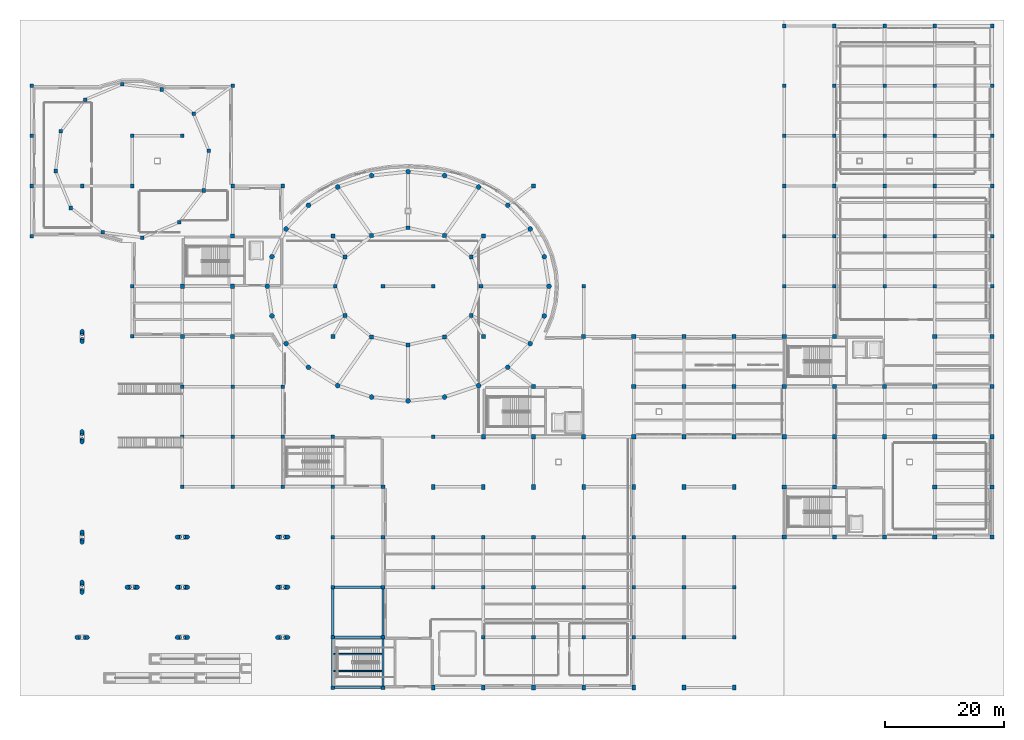
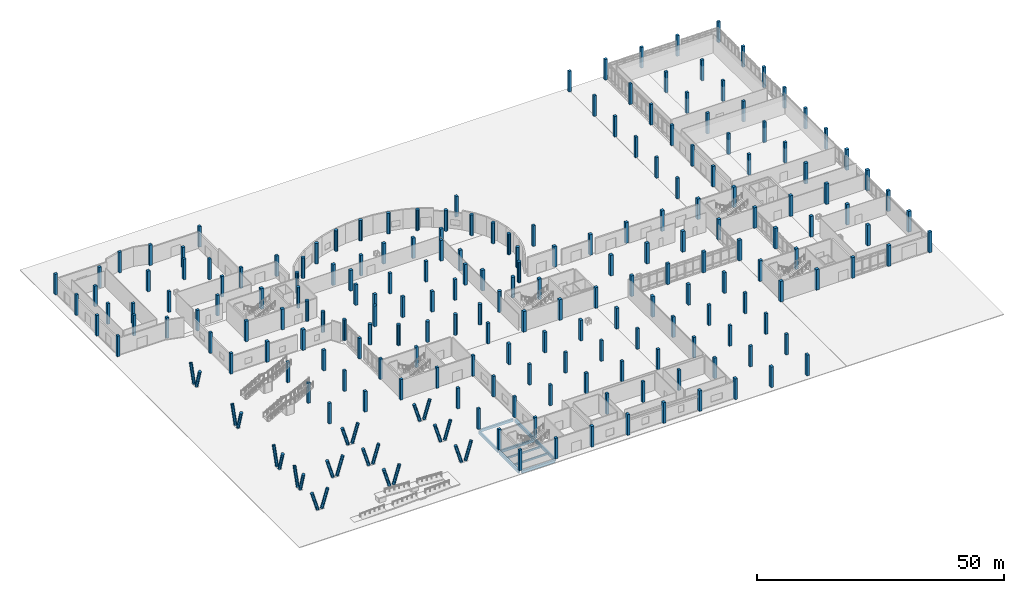
# One storey, part 1 of 64: 220 columns, 9 beams.
"""IFC4 building model written with IfcOpenShell, lengths in metres."""

from ifc_helpers import new_model, si_unit, derived_unit, direction, frame, origin, origin_2d, place, context, subcontext, project, spatial, rectangle, circle, extrude, material, material_profile, profile_set, type_object, element, save


model = new_model("IFC4")

# Units and contexts
model_context = context("Model", 3, precision=1e-05, world=origin(), true_north=direction((0.0, 1.0)))
body_context = subcontext(model_context, "Body", "Model", "MODEL_VIEW")
ifc_project = project(units=[si_unit("LENGTHUNIT", "METRE"), si_unit("AREAUNIT", "SQUARE_METRE"), si_unit("VOLUMEUNIT", "CUBIC_METRE"), si_unit("PLANEANGLEUNIT", "RADIAN"), si_unit("MASSUNIT", "GRAM", prefix="KILO"), derived_unit("THERMALTRANSMITTANCEUNIT", [(si_unit("POWERUNIT", "WATT"), 1), (si_unit("LENGTHUNIT", "METRE"), -2), (si_unit("THERMODYNAMICTEMPERATUREUNIT", "KELVIN"), -1)])], contexts=[model_context])

# Site, building, storey
site_placement = place(None, origin())
site = spatial("IfcSite", under=ifc_project, at=site_placement, CompositionType="ELEMENT")
building_placement = place(site_placement, origin())
building = spatial("IfcBuilding", under=site, at=building_placement, Name="Elbkamm Science Centre", CompositionType="ELEMENT")
storey_placement = place(building_placement, origin())
storey = spatial("IfcBuildingStorey", under=building, at=storey_placement, Name="L00", CompositionType="ELEMENT", Elevation=0.0)

# Columns
ifc_material_1 = material(Name="White architectural concrete C45/55", Category="concrete")
ifc_material_profile_1 = material_profile(ifc_material_1, circle(Radius=0.35009765625, at=origin_2d()), Name="RC D700")
ifc_profile_set_1 = profile_set([ifc_material_profile_1], Name="White architectural concrete C45/55")
column_type_1 = type_object("IfcColumnType", Name="COL-PILOTI-D700", PredefinedType="USERDEFINED", material=ifc_profile_set_1)
for number, where, z_axis, x_axis, name in (
    (1, (7.919921875, 8.39990234375, 0.0), (-0.28911825442, 0.0, 0.957293390221), (0.0, -1.0, 0.0), "Forecourt Inclined Piloti V01-A"),
    (2, (8.8798828125, 8.39990234375, 0.0), (0.28911825442, 0.0, 0.957293390221), (0.0, 1.0, 0.0), "Forecourt Inclined Piloti V01-B"),
    (3, (24.719970703125, 8.39990234375, 0.0), (-0.28911825442, 0.0, 0.957293390221), (0.0, -1.0, 0.0), "Forecourt Inclined Piloti V02-A"),
    (4, (25.679931640625, 8.39990234375, 0.0), (0.28911825442, 0.0, 0.957293390221), (0.0, 1.0, 0.0), "Forecourt Inclined Piloti V02-B"),
    (5, (41.52001953125, 8.39990234375, 0.0), (-0.28911825442, 0.0, 0.957293390221), (0.0, -1.0, 0.0), "Forecourt Inclined Piloti V03-A"),
    (6, (42.47998046875, 8.39990234375, 0.0), (0.28911825442, 0.0, 0.957293390221), (0.0, 1.0, 0.0), "Forecourt Inclined Piloti V03-B"),
    (7, (8.39990234375, 16.320068359375, 0.0), (0.0, -0.28911825442, 0.957293390221), (1.0, 0.0, 0.0), "Forecourt Inclined Piloti V04-A"),
    (8, (8.39990234375, 17.280029296875, 0.0), (0.0, 0.28911825442, 0.957293390221), (-1.0, 0.0, 0.0), "Forecourt Inclined Piloti V04-B"),
    (9, (24.719970703125, 16.800048828125, 0.0), (-0.28911825442, 0.0, 0.957293390221), (0.0, -1.0, 0.0), "Forecourt Inclined Piloti V05-A"),
    (10, (25.679931640625, 16.800048828125, 0.0), (0.28911825442, 0.0, 0.957293390221), (0.0, 1.0, 0.0), "Forecourt Inclined Piloti V05-B"),
    (11, (41.52001953125, 16.800048828125, 0.0), (-0.28911825442, 0.0, 0.957293390221), (0.0, -1.0, 0.0), "Forecourt Inclined Piloti V06-A"),
    (12, (42.47998046875, 16.800048828125, 0.0), (0.28911825442, 0.0, 0.957293390221), (0.0, 1.0, 0.0), "Forecourt Inclined Piloti V06-B"),
    (13, (8.39990234375, 24.719970703125, 0.0), (0.0, -0.28911825442, 0.957293390221), (1.0, 0.0, 0.0), "Forecourt Inclined Piloti V07-A"),
    (14, (8.39990234375, 25.679931640625, 0.0), (0.0, 0.28911825442, 0.957293390221), (-1.0, 0.0, 0.0), "Forecourt Inclined Piloti V07-B"),
    (15, (8.39990234375, 41.52001953125, 0.0), (0.0, -0.28911825442, 0.957293390221), (1.0, 0.0, 0.0), "Forecourt Inclined Piloti V08-A"),
    (16, (8.39990234375, 42.47998046875, 0.0), (0.0, 0.28911825442, 0.957293390221), (-1.0, 0.0, 0.0), "Forecourt Inclined Piloti V08-B"),
    (17, (8.39990234375, 58.320068359375, 0.0), (0.0, -0.28911825442, 0.957293390221), (1.0, 0.0, 0.0), "Forecourt Inclined Piloti V09-A"),
    (18, (8.39990234375, 59.280029296875, 0.0), (0.0, 0.28911825442, 0.957293390221), (-1.0, 0.0, 0.0), "Forecourt Inclined Piloti V09-B"),
    (19, (24.719970703125, 25.199951171875, 0.0), (-0.28911825442, 0.0, 0.957293390221), (0.0, -1.0, 0.0), "Forecourt Inclined Piloti V10-A"),
    (20, (25.679931640625, 25.199951171875, 0.0), (0.28911825442, 0.0, 0.957293390221), (0.0, 1.0, 0.0), "Forecourt Inclined Piloti V10-B"),
    (21, (41.52001953125, 25.199951171875, 0.0), (-0.28911825442, 0.0, 0.957293390221), (0.0, -1.0, 0.0), "Forecourt Inclined Piloti V11-A"),
    (22, (42.47998046875, 25.199951171875, 0.0), (0.28911825442, 0.0, 0.957293390221), (0.0, 1.0, 0.0), "Forecourt Inclined Piloti V11-B"),
    (23, (16.320068359375, 16.800048828125, 0.0), (-0.28911825442, 0.0, 0.957293390221), (0.0, -1.0, 0.0), "Forecourt Inclined Piloti V12-A"),
    (24, (17.280029296875, 16.800048828125, 0.0), (0.28911825442, 0.0, 0.957293390221), (0.0, 1.0, 0.0), "Forecourt Inclined Piloti V12-B"),
):
    element("IfcColumn", number, at=place(storey_placement, frame(where, z_axis=z_axis, x_axis=x_axis)), inside=storey, type_object=column_type_1, Name=name, ObjectType="PILOTI", PredefinedType="USERDEFINED", context=body_context, shape_type="SweptSolid", body=[
        extrude(circle(Radius=0.35009765625, at=origin_2d()), origin(), (0.0, 0.0, 1.0), 4.679931640625),
    ])
ifc_material_2 = material(Name="Concrete C40/50", Category="concrete")
ifc_material_profile_2 = material_profile(ifc_material_2, rectangle(XDim=0.60009765625, YDim=0.60009765625, at=origin_2d()), Name="RC 600x600")
ifc_profile_set_2 = profile_set([ifc_material_profile_2], Name="Concrete C40/50")
column_type_2 = type_object("IfcColumnType", Name="COL-RC-600", PredefinedType="COLUMN", material=ifc_profile_set_2)
for number, where, z_axis, x_axis, name in (
    (25, (29.638916015625, 89.889892578125, 0.0), (0.0, 0.0, 1.0), (1.0, 0.0, 0.0), "L00 Column DRUM-01"),
    (26, (27.073974609375, 96.0830078125, 0.0), (0.0, 0.0, 1.0), (1.0, 0.0, 0.0), "L00 Column DRUM-02"),
    (27, (21.756103515625, 100.1640625, 0.0), (0.0, 0.0, 1.0), (1.0, 0.0, 0.0), "L00 Column DRUM-03"),
    (28, (15.110107421875, 101.0390625, 0.0), (0.0, 0.0, 1.0), (1.0, 0.0, 0.0), "L00 Column DRUM-04"),
    (29, (8.9169921875, 98.47412109375, 0.0), (0.0, 0.0, 1.0), (1.0, 0.0, 0.0), "L00 Column DRUM-05"),
    (30, (4.8359375, 93.156005859375, 0.0), (0.0, 0.0, 1.0), (1.0, 0.0, 0.0), "L00 Column DRUM-06"),
    (31, (3.9609375, 86.510009765625, 0.0), (0.0, 0.0, 1.0), (1.0, 0.0, 0.0), "L00 Column DRUM-07"),
    (32, (6.52587890625, 80.31689453125, 0.0), (0.0, 0.0, 1.0), (1.0, 0.0, 0.0), "L00 Column DRUM-08"),
    (33, (11.843994140625, 76.236083984375, 0.0), (0.0, 0.0, 1.0), (1.0, 0.0, 0.0), "L00 Column DRUM-09"),
    (34, (18.489990234375, 75.361083984375, 0.0), (0.0, 0.0, 1.0), (1.0, 0.0, 0.0), "L00 Column DRUM-10"),
    (35, (24.68310546875, 77.926025390625, 0.0), (0.0, 0.0, 1.0), (1.0, 0.0, 0.0), "L00 Column DRUM-11"),
    (36, (28.763916015625, 83.243896484375, 0.0), (0.0, 0.0, 1.0), (1.0, 0.0, 0.0), "L00 Column DRUM-12"),
    (37, (0.0, 75.60009765625, 0.0), (0.0, 0.0, 1.0), (1.0, 0.0, 0.0), "L00 Column GRID-1-K"),
    (38, (0.0, 84.0, 0.0), (0.0, 0.0, 1.0), (1.0, 0.0, 0.0), "L00 Column GRID-1-L"),
    (39, (0.0, 92.39990234375, 0.0), (0.0, 0.0, 1.0), (1.0, 0.0, 0.0), "L00 Column GRID-1-M"),
    (40, (0.0, 100.800048828125, 0.0), (0.0, 0.0, 1.0), (1.0, 0.0, 0.0), "L00 Column GRID-1-N"),
    (41, (8.39990234375, 84.0, 0.0), (0.0, 0.0, 1.0), (1.0, 0.0, 0.0), "L00 Column GRID-2-L"),
    (42, (16.800048828125, 58.800048828125, 0.0), (0.0, 0.0, 1.0), (1.0, 0.0, 0.0), "L00 Column GRID-3-H"),
    (43, (16.800048828125, 67.199951171875, 0.0), (0.0, 0.0, 1.0), (1.0, 0.0, 0.0), "L00 Column GRID-3-J"),
    (44, (16.800048828125, 84.0, 0.0), (0.0, 0.0, 1.0), (1.0, 0.0, 0.0), "L00 Column GRID-3-L"),
    (45, (16.800048828125, 92.39990234375, 0.0), (0.0, 0.0, 1.0), (1.0, 0.0, 0.0), "L00 Column GRID-3-M"),
    (46, (25.199951171875, 33.60009765625, 0.0), (0.0, 0.0, 1.0), (1.0, 0.0, 0.0), "L00 Column GRID-4-E"),
    (47, (25.199951171875, 42.0, 0.0), (0.0, 0.0, 1.0), (1.0, 0.0, 0.0), "L00 Column GRID-4-F"),
    (48, (25.199951171875, 50.39990234375, 0.0), (0.0, 0.0, 1.0), (1.0, 0.0, 0.0), "L00 Column GRID-4-G"),
    (49, (25.199951171875, 92.39990234375, 0.0), (0.0, 0.0, 1.0), (1.0, 0.0, 0.0), "L00 Column GRID-4-M"),
    (50, (33.60009765625, 33.60009765625, 0.0), (0.0, 0.0, 1.0), (1.0, 0.0, 0.0), "L00 Column GRID-5-E"),
    (51, (33.60009765625, 42.0, 0.0), (0.0, 0.0, 1.0), (1.0, 0.0, 0.0), "L00 Column GRID-5-F"),
    (52, (33.60009765625, 50.39990234375, 0.0), (0.0, 0.0, 1.0), (1.0, 0.0, 0.0), "L00 Column GRID-5-G"),
    (53, (33.60009765625, 84.0, 0.0), (0.0, 0.0, 1.0), (1.0, 0.0, 0.0), "L00 Column GRID-5-L"),
    (54, (33.60009765625, 100.800048828125, 0.0), (0.0, 0.0, 1.0), (1.0, 0.0, 0.0), "L00 Column GRID-5-N"),
    (55, (42.0, 33.60009765625, 0.0), (0.0, 0.0, 1.0), (1.0, 0.0, 0.0), "L00 Column GRID-6-E"),
    (56, (42.0, 42.0, 0.0), (0.0, 0.0, 1.0), (1.0, 0.0, 0.0), "L00 Column GRID-6-F"),
    (57, (42.0, 50.39990234375, 0.0), (0.0, 0.0, 1.0), (1.0, 0.0, 0.0), "L00 Column GRID-6-G"),
    (58, (42.0, 84.0, 0.0), (0.0, 0.0, 1.0), (1.0, 0.0, 0.0), "L00 Column GRID-6-L"),
    (59, (50.39990234375, 0.0, 0.0), (0.0, 0.0, 1.0), (1.0, 0.0, 0.0), "L00 Column GRID-7-A"),
    (60, (50.39990234375, 8.39990234375, 0.0), (0.0, 0.0, 1.0), (1.0, 0.0, 0.0), "L00 Column GRID-7-B"),
    (61, (50.39990234375, 16.800048828125, 0.0), (0.0, 0.0, 1.0), (1.0, 0.0, 0.0), "L00 Column GRID-7-C"),
    (62, (50.39990234375, 25.199951171875, 0.0), (0.0, 0.0, 1.0), (1.0, 0.0, 0.0), "L00 Column GRID-7-D"),
    (63, (50.39990234375, 33.60009765625, 0.0), (0.0, 0.0, 1.0), (1.0, 0.0, 0.0), "L00 Column GRID-7-E"),
    (64, (50.39990234375, 42.0, 0.0), (0.0, 0.0, 1.0), (1.0, 0.0, 0.0), "L00 Column GRID-7-F"),
    (65, (58.800048828125, 0.0, 0.0), (0.0, 0.0, 1.0), (1.0, 0.0, 0.0), "L00 Column GRID-8-A"),
    (66, (58.800048828125, 8.39990234375, 0.0), (0.0, 0.0, 1.0), (1.0, 0.0, 0.0), "L00 Column GRID-8-B"),
    (67, (58.800048828125, 16.800048828125, 0.0), (0.0, 0.0, 1.0), (1.0, 0.0, 0.0), "L00 Column GRID-8-C"),
    (68, (58.800048828125, 25.199951171875, 0.0), (0.0, 0.0, 1.0), (1.0, 0.0, 0.0), "L00 Column GRID-8-D"),
    (69, (58.800048828125, 33.60009765625, 0.0), (0.0, 0.0, 1.0), (1.0, 0.0, 0.0), "L00 Column GRID-8-E"),
    (70, (58.800048828125, 67.199951171875, 0.0), (0.0, 0.0, 1.0), (1.0, 0.0, 0.0), "L00 Column GRID-8-J"),
    (71, (67.199951171875, 16.800048828125, 0.0), (0.0, 0.0, 1.0), (1.0, 0.0, 0.0), "L00 Column GRID-9-C"),
    (72, (67.199951171875, 25.199951171875, 0.0), (0.0, 0.0, 1.0), (1.0, 0.0, 0.0), "L00 Column GRID-9-D"),
    (73, (67.199951171875, 42.0, 0.0), (0.0, 0.0, 1.0), (1.0, 0.0, 0.0), "L00 Column GRID-9-F"),
    (74, (67.199951171875, 67.199951171875, 0.0), (0.0, 0.0, 1.0), (1.0, 0.0, 0.0), "L00 Column GRID-9-J"),
    (75, (75.60009765625, 8.39990234375, 0.0), (0.0, 0.0, 1.0), (1.0, 0.0, 0.0), "L00 Column GRID-10-B"),
    (76, (75.60009765625, 16.800048828125, 0.0), (0.0, 0.0, 1.0), (1.0, 0.0, 0.0), "L00 Column GRID-10-C"),
    (77, (75.60009765625, 25.199951171875, 0.0), (0.0, 0.0, 1.0), (1.0, 0.0, 0.0), "L00 Column GRID-10-D"),
    (78, (84.0, 8.39990234375, 0.0), (0.0, 0.0, 1.0), (1.0, 0.0, 0.0), "L00 Column GRID-11-B"),
    (79, (84.0, 16.800048828125, 0.0), (0.0, 0.0, 1.0), (1.0, 0.0, 0.0), "L00 Column GRID-11-C"),
    (80, (84.0, 25.199951171875, 0.0), (0.0, 0.0, 1.0), (1.0, 0.0, 0.0), "L00 Column GRID-11-D"),
    (81, (84.0, 84.0, 0.0), (0.0, 0.0, 1.0), (1.0, 0.0, 0.0), "L00 Column GRID-11-L"),
    (82, (92.39990234375, 8.39990234375, 0.0), (0.0, 0.0, 1.0), (1.0, 0.0, 0.0), "L00 Column GRID-12-B"),
    (83, (92.39990234375, 16.800048828125, 0.0), (0.0, 0.0, 1.0), (1.0, 0.0, 0.0), "L00 Column GRID-12-C"),
    (84, (92.39990234375, 25.199951171875, 0.0), (0.0, 0.0, 1.0), (1.0, 0.0, 0.0), "L00 Column GRID-12-D"),
    (85, (92.39990234375, 67.199951171875, 0.0), (0.0, 0.0, 1.0), (1.0, 0.0, 0.0), "L00 Column GRID-12-J"),
    (86, (100.800048828125, 8.39990234375, 0.0), (0.0, 0.0, 1.0), (1.0, 0.0, 0.0), "L00 Column GRID-13-B"),
    (87, (100.800048828125, 16.800048828125, 0.0), (0.0, 0.0, 1.0), (1.0, 0.0, 0.0), "L00 Column GRID-13-C"),
    (88, (100.800048828125, 25.199951171875, 0.0), (0.0, 0.0, 1.0), (1.0, 0.0, 0.0), "L00 Column GRID-13-D"),
    (89, (109.199951171875, 8.39990234375, 0.0), (0.0, 0.0, 1.0), (1.0, 0.0, 0.0), "L00 Column GRID-14-B"),
    (90, (109.199951171875, 16.800048828125, 0.0), (0.0, 0.0, 1.0), (1.0, 0.0, 0.0), "L00 Column GRID-14-C"),
    (91, (109.199951171875, 25.199951171875, 0.0), (0.0, 0.0, 1.0), (1.0, 0.0, 0.0), "L00 Column GRID-14-D"),
    (92, (117.60009765625, 8.39990234375, 0.0), (0.0, 0.0, 1.0), (1.0, 0.0, 0.0), "L00 Column GRID-15-B"),
    (93, (117.60009765625, 16.800048828125, 0.0), (0.0, 0.0, 1.0), (1.0, 0.0, 0.0), "L00 Column GRID-15-C"),
    (94, (117.60009765625, 25.199951171875, 0.0), (0.0, 0.0, 1.0), (1.0, 0.0, 0.0), "L00 Column GRID-15-D"),
    (95, (126.0, 67.199951171875, 0.0), (0.0, 0.0, 1.0), (1.0, 0.0, 0.0), "L00 Column GRID-16-J"),
    (96, (126.0, 75.60009765625, 0.0), (0.0, 0.0, 1.0), (1.0, 0.0, 0.0), "L00 Column GRID-16-K"),
    (97, (126.0, 84.0, 0.0), (0.0, 0.0, 1.0), (1.0, 0.0, 0.0), "L00 Column GRID-16-L"),
    (98, (126.0, 92.39990234375, 0.0), (0.0, 0.0, 1.0), (1.0, 0.0, 0.0), "L00 Column GRID-16-M"),
    (99, (134.39990234375, 67.199951171875, 0.0), (0.0, 0.0, 1.0), (1.0, 0.0, 0.0), "L00 Column GRID-17-J"),
    (100, (134.39990234375, 75.60009765625, 0.0), (0.0, 0.0, 1.0), (1.0, 0.0, 0.0), "L00 Column GRID-17-K"),
    (101, (134.39990234375, 84.0, 0.0), (0.0, 0.0, 1.0), (1.0, 0.0, 0.0), "L00 Column GRID-17-L"),
    (102, (134.39990234375, 92.39990234375, 0.0), (0.0, 0.0, 1.0), (1.0, 0.0, 0.0), "L00 Column GRID-17-M"),
    (103, (134.39990234375, 100.800048828125, 0.0), (0.0, 0.0, 1.0), (1.0, 0.0, 0.0), "L00 Column GRID-17-N"),
    (104, (134.39990234375, 110.800048828125, 0.0), (0.0, 0.0, 1.0), (1.0, 0.0, 0.0), "L00 Column GRID-17-P"),
    (105, (142.800048828125, 67.199951171875, 0.0), (0.0, 0.0, 1.0), (1.0, 0.0, 0.0), "L00 Column GRID-18-J"),
    (106, (142.800048828125, 75.60009765625, 0.0), (0.0, 0.0, 1.0), (1.0, 0.0, 0.0), "L00 Column GRID-18-K"),
    (107, (142.800048828125, 84.0, 0.0), (0.0, 0.0, 1.0), (1.0, 0.0, 0.0), "L00 Column GRID-18-L"),
    (108, (142.800048828125, 92.39990234375, 0.0), (0.0, 0.0, 1.0), (1.0, 0.0, 0.0), "L00 Column GRID-18-M"),
    (109, (142.800048828125, 100.800048828125, 0.0), (0.0, 0.0, 1.0), (1.0, 0.0, 0.0), "L00 Column GRID-18-N"),
    (110, (142.800048828125, 110.800048828125, 0.0), (0.0, 0.0, 1.0), (1.0, 0.0, 0.0), "L00 Column GRID-18-P"),
    (111, (151.199951171875, 67.199951171875, 0.0), (0.0, 0.0, 1.0), (1.0, 0.0, 0.0), "L00 Column GRID-19-J"),
    (112, (151.199951171875, 75.60009765625, 0.0), (0.0, 0.0, 1.0), (1.0, 0.0, 0.0), "L00 Column GRID-19-K"),
    (113, (151.199951171875, 84.0, 0.0), (0.0, 0.0, 1.0), (1.0, 0.0, 0.0), "L00 Column GRID-19-L"),
    (114, (151.199951171875, 92.39990234375, 0.0), (0.0, 0.0, 1.0), (1.0, 0.0, 0.0), "L00 Column GRID-19-M"),
    (115, (151.199951171875, 100.800048828125, 0.0), (0.0, 0.0, 1.0), (1.0, 0.0, 0.0), "L00 Column GRID-19-N"),
    (116, (151.199951171875, 110.800048828125, 0.0), (0.0, 0.0, 1.0), (1.0, 0.0, 0.0), "L00 Column GRID-19-P"),
    (117, (160.800048828125, 67.199951171875, 0.0), (0.0, 0.0, 1.0), (1.0, 0.0, 0.0), "L00 Column GRID-20-J"),
    (118, (160.800048828125, 75.60009765625, 0.0), (0.0, 0.0, 1.0), (1.0, 0.0, 0.0), "L00 Column GRID-20-K"),
    (119, (160.800048828125, 84.0, 0.0), (0.0, 0.0, 1.0), (1.0, 0.0, 0.0), "L00 Column GRID-20-L"),
    (120, (160.800048828125, 92.39990234375, 0.0), (0.0, 0.0, 1.0), (1.0, 0.0, 0.0), "L00 Column GRID-20-M"),
    (121, (160.800048828125, 100.800048828125, 0.0), (0.0, 0.0, 1.0), (1.0, 0.0, 0.0), "L00 Column GRID-20-N"),
    (122, (160.800048828125, 110.800048828125, 0.0), (0.0, 0.0, 1.0), (1.0, 0.0, 0.0), "L00 Column GRID-20-P"),
    (123, (126.0, 100.800048828125, 0.0), (0.0, 0.0, 1.0), (1.0, 0.0, 0.0), "L00 Column GRID-16-N"),
    (124, (126.0, 110.800048828125, 0.0), (0.0, 0.0, 1.0), (1.0, 0.0, 0.0), "L00 Column GRID-16-P"),
):
    element("IfcColumn", number, at=place(storey_placement, frame(where, z_axis=z_axis, x_axis=x_axis)), inside=storey, type_object=column_type_2, Name=name, PredefinedType="COLUMN", context=body_context, shape_type="SweptSolid", body=[
        extrude(rectangle(XDim=0.60009765625, YDim=0.60009765625, at=origin_2d()), origin(), (0.0, 0.0, 1.0), 5.10009765625),
    ])
ifc_material_profile_3 = material_profile(ifc_material_2, rectangle(XDim=0.60009765625, YDim=0.800048828125, at=origin_2d()), Name="RC 600x800")
ifc_profile_set_3 = profile_set([ifc_material_profile_3], Name="Concrete C40/50")
column_type_3 = type_object("IfcColumnType", Name="COL-RC-600x800", PredefinedType="COLUMN", material=ifc_profile_set_3)
for number, where, z_axis, x_axis, name in (
    (125, (67.199951171875, 0.0, 0.0), (0.0, 0.0, 1.0), (1.0, 0.0, 0.0), "L00 Column TH-PIER-S01"),
    (126, (67.199951171875, 33.60009765625, 0.0), (0.0, 0.0, 1.0), (1.0, 0.0, 0.0), "L00 Column TH-PIER-N01"),
    (127, (75.60009765625, 0.0, 0.0), (0.0, 0.0, 1.0), (1.0, 0.0, 0.0), "L00 Column TH-PIER-S02"),
    (128, (75.60009765625, 33.60009765625, 0.0), (0.0, 0.0, 1.0), (1.0, 0.0, 0.0), "L00 Column TH-PIER-N02"),
    (129, (84.0, 0.0, 0.0), (0.0, 0.0, 1.0), (1.0, 0.0, 0.0), "L00 Column TH-PIER-S03"),
    (130, (84.0, 33.60009765625, 0.0), (0.0, 0.0, 1.0), (1.0, 0.0, 0.0), "L00 Column TH-PIER-N03"),
    (131, (92.39990234375, 0.0, 0.0), (0.0, 0.0, 1.0), (1.0, 0.0, 0.0), "L00 Column TH-PIER-S04"),
    (132, (92.39990234375, 33.60009765625, 0.0), (0.0, 0.0, 1.0), (1.0, 0.0, 0.0), "L00 Column TH-PIER-N04"),
    (133, (100.800048828125, 0.0, 0.0), (0.0, 0.0, 1.0), (1.0, 0.0, 0.0), "L00 Column TH-PIER-S05"),
    (134, (100.800048828125, 33.60009765625, 0.0), (0.0, 0.0, 1.0), (1.0, 0.0, 0.0), "L00 Column TH-PIER-N05"),
    (135, (109.199951171875, 0.0, 0.0), (0.0, 0.0, 1.0), (1.0, 0.0, 0.0), "L00 Column TH-PIER-S06"),
    (136, (109.199951171875, 33.60009765625, 0.0), (0.0, 0.0, 1.0), (1.0, 0.0, 0.0), "L00 Column TH-PIER-N06"),
    (137, (117.60009765625, 0.0, 0.0), (0.0, 0.0, 1.0), (1.0, 0.0, 0.0), "L00 Column TH-PIER-S07"),
    (138, (117.60009765625, 33.60009765625, 0.0), (0.0, 0.0, 1.0), (1.0, 0.0, 0.0), "L00 Column TH-PIER-N07"),
):
    element("IfcColumn", number, at=place(storey_placement, frame(where, z_axis=z_axis, x_axis=x_axis)), inside=storey, type_object=column_type_3, Name=name, PredefinedType="COLUMN", context=body_context, shape_type="SweptSolid", body=[
        extrude(rectangle(XDim=0.60009765625, YDim=0.800048828125, at=origin_2d()), origin(), (0.0, 0.0, 1.0), 5.10009765625),
    ])
ifc_material_profile_4 = material_profile(ifc_material_2, rectangle(XDim=0.64990234375, YDim=0.64990234375, at=origin_2d()), Name="RC 650x650")
ifc_profile_set_4 = profile_set([ifc_material_profile_4], Name="Concrete C40/50")
column_type_4 = type_object("IfcColumnType", Name="COL-RC-650", PredefinedType="COLUMN", material=ifc_profile_set_4)
for number, where, z_axis, x_axis, name in (
    (139, (75.199951171875, 67.199951171875, 0.0), (0.0, 0.0, 1.0), (1.0, 0.0, 0.0), "L00 Column SH-IN-01"),
    (140, (73.56591796875, 72.10009765625, 0.0), (0.0, 0.0, 1.0), (1.0, 0.0, 0.0), "L00 Column SH-IN-02"),
    (141, (69.10009765625, 75.68701171875, 0.0), (0.0, 0.0, 1.0), (1.0, 0.0, 0.0), "L00 Column SH-IN-03"),
    (142, (63.0, 77.0, 0.0), (0.0, 0.0, 1.0), (1.0, 0.0, 0.0), "L00 Column SH-IN-04"),
    (143, (56.89990234375, 75.68701171875, 0.0), (0.0, 0.0, 1.0), (1.0, 0.0, 0.0), "L00 Column SH-IN-05"),
    (144, (52.43408203125, 72.10009765625, 0.0), (0.0, 0.0, 1.0), (1.0, 0.0, 0.0), "L00 Column SH-IN-06"),
    (145, (50.800048828125, 67.199951171875, 0.0), (0.0, 0.0, 1.0), (1.0, 0.0, 0.0), "L00 Column SH-IN-07"),
    (146, (52.43408203125, 62.300048828125, 0.0), (0.0, 0.0, 1.0), (1.0, 0.0, 0.0), "L00 Column SH-IN-08"),
    (147, (56.89990234375, 58.712890625, 0.0), (0.0, 0.0, 1.0), (1.0, 0.0, 0.0), "L00 Column SH-IN-09"),
    (148, (63.0, 57.39990234375, 0.0), (0.0, 0.0, 1.0), (1.0, 0.0, 0.0), "L00 Column SH-IN-10"),
    (149, (69.10009765625, 58.712890625, 0.0), (0.0, 0.0, 1.0), (1.0, 0.0, 0.0), "L00 Column SH-IN-11"),
    (150, (73.56591796875, 62.300048828125, 0.0), (0.0, 0.0, 1.0), (1.0, 0.0, 0.0), "L00 Column SH-IN-12"),
):
    element("IfcColumn", number, at=place(storey_placement, frame(where, z_axis=z_axis, x_axis=x_axis)), inside=storey, type_object=column_type_4, Name=name, PredefinedType="COLUMN", context=body_context, shape_type="SweptSolid", body=[
        extrude(rectangle(XDim=0.64990234375, YDim=0.64990234375, at=origin_2d()), origin(), (0.0, 0.0, 1.0), 5.10009765625),
    ])
ifc_material_profile_5 = material_profile(ifc_material_2, rectangle(XDim=0.699951171875, YDim=0.699951171875, at=origin_2d()), Name="RC 700x700")
ifc_profile_set_5 = profile_set([ifc_material_profile_5], Name="Concrete C40/50")
column_type_5 = type_object("IfcColumnType", Name="COL-RC-700", PredefinedType="COLUMN", material=ifc_profile_set_5)
for number, where, z_axis, x_axis, name in (
    (151, (25.199951171875, 58.800048828125, 0.0), (0.0, 0.0, 1.0), (1.0, 0.0, 0.0), "L00 Column GRID-4-H"),
    (152, (25.199951171875, 67.199951171875, 0.0), (0.0, 0.0, 1.0), (1.0, 0.0, 0.0), "L00 Column GRID-4-J"),
    (153, (33.60009765625, 58.800048828125, 0.0), (0.0, 0.0, 1.0), (1.0, 0.0, 0.0), "L00 Column GRID-5-H"),
    (154, (33.60009765625, 67.199951171875, 0.0), (0.0, 0.0, 1.0), (1.0, 0.0, 0.0), "L00 Column GRID-5-J"),
    (155, (33.60009765625, 75.60009765625, 0.0), (0.0, 0.0, 1.0), (1.0, 0.0, 0.0), "L00 Column GRID-5-K"),
    (156, (50.39990234375, 58.800048828125, 0.0), (0.0, 0.0, 1.0), (1.0, 0.0, 0.0), "L00 Column GRID-7-H"),
    (157, (50.39990234375, 75.60009765625, 0.0), (0.0, 0.0, 1.0), (1.0, 0.0, 0.0), "L00 Column GRID-7-K"),
    (158, (75.60009765625, 42.0, 0.0), (0.0, 0.0, 1.0), (1.0, 0.0, 0.0), "L00 Column GRID-10-F"),
    (159, (75.60009765625, 58.800048828125, 0.0), (0.0, 0.0, 1.0), (1.0, 0.0, 0.0), "L00 Column GRID-10-H"),
    (160, (75.60009765625, 75.60009765625, 0.0), (0.0, 0.0, 1.0), (1.0, 0.0, 0.0), "L00 Column GRID-10-K"),
    (161, (84.0, 42.0, 0.0), (0.0, 0.0, 1.0), (1.0, 0.0, 0.0), "L00 Column GRID-11-F"),
    (162, (84.0, 50.39990234375, 0.0), (0.0, 0.0, 1.0), (1.0, 0.0, 0.0), "L00 Column GRID-11-G"),
    (163, (92.39990234375, 42.0, 0.0), (0.0, 0.0, 1.0), (1.0, 0.0, 0.0), "L00 Column GRID-12-F"),
    (164, (92.39990234375, 58.800048828125, 0.0), (0.0, 0.0, 1.0), (1.0, 0.0, 0.0), "L00 Column GRID-12-H"),
    (165, (100.800048828125, 42.0, 0.0), (0.0, 0.0, 1.0), (1.0, 0.0, 0.0), "L00 Column GRID-13-F"),
    (166, (100.800048828125, 50.39990234375, 0.0), (0.0, 0.0, 1.0), (1.0, 0.0, 0.0), "L00 Column GRID-13-G"),
    (167, (100.800048828125, 58.800048828125, 0.0), (0.0, 0.0, 1.0), (1.0, 0.0, 0.0), "L00 Column GRID-13-H"),
    (168, (109.199951171875, 42.0, 0.0), (0.0, 0.0, 1.0), (1.0, 0.0, 0.0), "L00 Column GRID-14-F"),
    (169, (109.199951171875, 50.39990234375, 0.0), (0.0, 0.0, 1.0), (1.0, 0.0, 0.0), "L00 Column GRID-14-G"),
    (170, (109.199951171875, 58.800048828125, 0.0), (0.0, 0.0, 1.0), (1.0, 0.0, 0.0), "L00 Column GRID-14-H"),
    (171, (117.60009765625, 42.0, 0.0), (0.0, 0.0, 1.0), (1.0, 0.0, 0.0), "L00 Column GRID-15-F"),
    (172, (117.60009765625, 50.39990234375, 0.0), (0.0, 0.0, 1.0), (1.0, 0.0, 0.0), "L00 Column GRID-15-G"),
    (173, (117.60009765625, 58.800048828125, 0.0), (0.0, 0.0, 1.0), (1.0, 0.0, 0.0), "L00 Column GRID-15-H"),
    (174, (126.0, 25.199951171875, 0.0), (0.0, 0.0, 1.0), (1.0, 0.0, 0.0), "L00 Column GRID-16-D"),
    (175, (126.0, 33.60009765625, 0.0), (0.0, 0.0, 1.0), (1.0, 0.0, 0.0), "L00 Column GRID-16-E"),
    (176, (126.0, 42.0, 0.0), (0.0, 0.0, 1.0), (1.0, 0.0, 0.0), "L00 Column GRID-16-F"),
    (177, (126.0, 50.39990234375, 0.0), (0.0, 0.0, 1.0), (1.0, 0.0, 0.0), "L00 Column GRID-16-G"),
    (178, (126.0, 58.800048828125, 0.0), (0.0, 0.0, 1.0), (1.0, 0.0, 0.0), "L00 Column GRID-16-H"),
    (179, (134.39990234375, 25.199951171875, 0.0), (0.0, 0.0, 1.0), (1.0, 0.0, 0.0), "L00 Column GRID-17-D"),
    (180, (134.39990234375, 33.60009765625, 0.0), (0.0, 0.0, 1.0), (1.0, 0.0, 0.0), "L00 Column GRID-17-E"),
    (181, (134.39990234375, 42.0, 0.0), (0.0, 0.0, 1.0), (1.0, 0.0, 0.0), "L00 Column GRID-17-F"),
    (182, (134.39990234375, 50.39990234375, 0.0), (0.0, 0.0, 1.0), (1.0, 0.0, 0.0), "L00 Column GRID-17-G"),
    (183, (134.39990234375, 58.800048828125, 0.0), (0.0, 0.0, 1.0), (1.0, 0.0, 0.0), "L00 Column GRID-17-H"),
    (184, (142.800048828125, 25.199951171875, 0.0), (0.0, 0.0, 1.0), (1.0, 0.0, 0.0), "L00 Column GRID-18-D"),
    (185, (142.800048828125, 42.0, 0.0), (0.0, 0.0, 1.0), (1.0, 0.0, 0.0), "L00 Column GRID-18-F"),
    (186, (142.800048828125, 50.39990234375, 0.0), (0.0, 0.0, 1.0), (1.0, 0.0, 0.0), "L00 Column GRID-18-G"),
    (187, (151.199951171875, 25.199951171875, 0.0), (0.0, 0.0, 1.0), (1.0, 0.0, 0.0), "L00 Column GRID-19-D"),
    (188, (151.199951171875, 33.60009765625, 0.0), (0.0, 0.0, 1.0), (1.0, 0.0, 0.0), "L00 Column GRID-19-E"),
    (189, (151.199951171875, 42.0, 0.0), (0.0, 0.0, 1.0), (1.0, 0.0, 0.0), "L00 Column GRID-19-F"),
    (190, (151.199951171875, 50.39990234375, 0.0), (0.0, 0.0, 1.0), (1.0, 0.0, 0.0), "L00 Column GRID-19-G"),
    (191, (151.199951171875, 58.800048828125, 0.0), (0.0, 0.0, 1.0), (1.0, 0.0, 0.0), "L00 Column GRID-19-H"),
    (192, (160.800048828125, 25.199951171875, 0.0), (0.0, 0.0, 1.0), (1.0, 0.0, 0.0), "L00 Column GRID-20-D"),
    (193, (160.800048828125, 33.60009765625, 0.0), (0.0, 0.0, 1.0), (1.0, 0.0, 0.0), "L00 Column GRID-20-E"),
    (194, (160.800048828125, 42.0, 0.0), (0.0, 0.0, 1.0), (1.0, 0.0, 0.0), "L00 Column GRID-20-F"),
    (195, (160.800048828125, 50.39990234375, 0.0), (0.0, 0.0, 1.0), (1.0, 0.0, 0.0), "L00 Column GRID-20-G"),
    (196, (160.800048828125, 58.800048828125, 0.0), (0.0, 0.0, 1.0), (1.0, 0.0, 0.0), "L00 Column GRID-20-H"),
):
    element("IfcColumn", number, at=place(storey_placement, frame(where, z_axis=z_axis, x_axis=x_axis)), inside=storey, type_object=column_type_5, Name=name, PredefinedType="COLUMN", context=body_context, shape_type="SweptSolid", body=[
        extrude(rectangle(XDim=0.699951171875, YDim=0.699951171875, at=origin_2d()), origin(), (0.0, 0.0, 1.0), 5.10009765625),
    ])
ifc_material_3 = material(Name="Concrete C45/55", Category="concrete")
ifc_material_profile_6 = material_profile(ifc_material_3, circle(Radius=0.39990234375, at=origin_2d()), Name="RC D800")
ifc_profile_set_6 = profile_set([ifc_material_profile_6], Name="Concrete C45/55")
column_type_6 = type_object("IfcColumnType", Name="COL-RC-D800", PredefinedType="COLUMN", material=ifc_profile_set_6)
for number, where, z_axis, x_axis, name in (
    (197, (86.60009765625, 67.199951171875, 0.0), (0.0, 0.0, 1.0), (1.0, 0.0, 0.0), "L00 Column SH-OUT-01"),
    (198, (85.7958984375, 72.1689453125, 0.0), (0.0, 0.0, 1.0), (1.0, 0.0, 0.0), "L00 Column SH-OUT-02"),
    (199, (83.43798828125, 76.800048828125, 0.0), (0.0, 0.0, 1.0), (1.0, 0.0, 0.0), "L00 Column SH-OUT-03"),
    (200, (79.68798828125, 80.77587890625, 0.0), (0.0, 0.0, 1.0), (1.0, 0.0, 0.0), "L00 Column SH-OUT-04"),
    (201, (74.800048828125, 83.827880859375, 0.0), (0.0, 0.0, 1.0), (1.0, 0.0, 0.0), "L00 Column SH-OUT-05"),
    (202, (69.10791015625, 85.74609375, 0.0), (0.0, 0.0, 1.0), (1.0, 0.0, 0.0), "L00 Column SH-OUT-06"),
    (203, (63.0, 86.39990234375, 0.0), (0.0, 0.0, 1.0), (1.0, 0.0, 0.0), "L00 Column SH-OUT-07"),
    (204, (56.89208984375, 85.74609375, 0.0), (0.0, 0.0, 1.0), (1.0, 0.0, 0.0), "L00 Column SH-OUT-08"),
    (205, (51.199951171875, 83.827880859375, 0.0), (0.0, 0.0, 1.0), (1.0, 0.0, 0.0), "L00 Column SH-OUT-09"),
    (206, (46.31201171875, 80.77587890625, 0.0), (0.0, 0.0, 1.0), (1.0, 0.0, 0.0), "L00 Column SH-OUT-10"),
    (207, (42.56201171875, 76.800048828125, 0.0), (0.0, 0.0, 1.0), (1.0, 0.0, 0.0), "L00 Column SH-OUT-11"),
    (208, (40.2041015625, 72.1689453125, 0.0), (0.0, 0.0, 1.0), (1.0, 0.0, 0.0), "L00 Column SH-OUT-12"),
    (209, (39.39990234375, 67.199951171875, 0.0), (0.0, 0.0, 1.0), (1.0, 0.0, 0.0), "L00 Column SH-OUT-13"),
    (210, (40.2041015625, 62.23095703125, 0.0), (0.0, 0.0, 1.0), (1.0, 0.0, 0.0), "L00 Column SH-OUT-14"),
    (211, (42.56201171875, 57.60009765625, 0.0), (0.0, 0.0, 1.0), (1.0, 0.0, 0.0), "L00 Column SH-OUT-15"),
    (212, (46.31201171875, 53.6240234375, 0.0), (0.0, 0.0, 1.0), (1.0, 0.0, 0.0), "L00 Column SH-OUT-16"),
    (213, (51.199951171875, 50.572021484375, 0.0), (0.0, 0.0, 1.0), (1.0, 0.0, 0.0), "L00 Column SH-OUT-17"),
    (214, (56.89208984375, 48.654052734375, 0.0), (0.0, 0.0, 1.0), (1.0, 0.0, 0.0), "L00 Column SH-OUT-18"),
    (215, (63.0, 48.0, 0.0), (0.0, 0.0, 1.0), (1.0, 0.0, 0.0), "L00 Column SH-OUT-19"),
    (216, (69.10791015625, 48.654052734375, 0.0), (0.0, 0.0, 1.0), (1.0, 0.0, 0.0), "L00 Column SH-OUT-20"),
    (217, (74.800048828125, 50.572021484375, 0.0), (0.0, 0.0, 1.0), (1.0, 0.0, 0.0), "L00 Column SH-OUT-21"),
    (218, (79.68798828125, 53.6240234375, 0.0), (0.0, 0.0, 1.0), (1.0, 0.0, 0.0), "L00 Column SH-OUT-22"),
    (219, (83.43798828125, 57.60009765625, 0.0), (0.0, 0.0, 1.0), (1.0, 0.0, 0.0), "L00 Column SH-OUT-23"),
    (220, (85.7958984375, 62.23095703125, 0.0), (0.0, 0.0, 1.0), (1.0, 0.0, 0.0), "L00 Column SH-OUT-24"),
):
    element("IfcColumn", number, at=place(storey_placement, frame(where, z_axis=z_axis, x_axis=x_axis)), inside=storey, type_object=column_type_6, Name=name, PredefinedType="COLUMN", context=body_context, shape_type="SweptSolid", body=[
        extrude(circle(Radius=0.39990234375, at=origin_2d()), origin(), (0.0, 0.0, 1.0), 5.10009765625),
    ])

# Beams
ifc_material_profile_7 = material_profile(ifc_material_2, rectangle(XDim=0.39990234375, YDim=0.64990234375, at=origin_2d()), Name="RC 400x650")
ifc_profile_set_7 = profile_set([ifc_material_profile_7], Name="Concrete C40/50")
beam_type_1 = type_object("IfcBeamType", Name="BM-RC-400x650", PredefinedType="BEAM", material=ifc_profile_set_7)
for number, where, z_axis, x_axis, name in (
    (221, (50.699951171875, 0.0, -0.625), (1.0, 0.0, 0.0), (0.0, 1.0, 0.0), "L00 Primary X-Girder 001"),
    (222, (50.699951171875, 8.39990234375, -0.625), (1.0, 0.0, 0.0), (0.0, 1.0, 0.0), "L00 Primary X-Girder 002"),
    (223, (50.699951171875, 16.800048828125, -0.625), (1.0, 0.0, 0.0), (0.0, 1.0, 0.0), "L00 Primary X-Girder 008"),
):
    element("IfcBeam", number, at=place(storey_placement, frame(where, z_axis=z_axis, x_axis=x_axis)), inside=storey, type_object=beam_type_1, Name=name, PredefinedType="BEAM", context=body_context, shape_type="SweptSolid", body=[
        extrude(rectangle(XDim=0.39990234375, YDim=0.64990234375, at=origin_2d()), origin(), (0.0, 0.0, 1.0), 7.800048828125),
    ])
ifc_material_profile_8 = material_profile(ifc_material_2, rectangle(XDim=0.39990234375, YDim=0.75, at=origin_2d()), Name="RC 400x750")
ifc_profile_set_8 = profile_set([ifc_material_profile_8], Name="Concrete C40/50")
beam_type_2 = type_object("IfcBeamType", Name="BM-RC-400x750", PredefinedType="BEAM", material=ifc_profile_set_8)
for number, where, z_axis, x_axis, name in (
    (224, (50.39990234375, 0.300048828125, -0.675048828125), (0.0, 1.0, 0.0), (-1.0, 0.0, 0.0), "L00 Primary Y-Girder 017"),
    (225, (50.39990234375, 8.699951171875, -0.675048828125), (0.0, 1.0, 0.0), (-1.0, 0.0, 0.0), "L00 Primary Y-Girder 018"),
    (226, (58.800048828125, 0.300048828125, -0.675048828125), (0.0, 1.0, 0.0), (-1.0, 0.0, 0.0), "L00 Primary Y-Girder 022"),
    (227, (58.800048828125, 8.699951171875, -0.675048828125), (0.0, 1.0, 0.0), (-1.0, 0.0, 0.0), "L00 Primary Y-Girder 023"),
):
    element("IfcBeam", number, at=place(storey_placement, frame(where, z_axis=z_axis, x_axis=x_axis)), inside=storey, type_object=beam_type_2, Name=name, PredefinedType="BEAM", context=body_context, shape_type="SweptSolid", body=[
        extrude(rectangle(XDim=0.39990234375, YDim=0.75, at=origin_2d()), origin(), (0.0, 0.0, 1.0), 7.800048828125),
    ])
ifc_material_profile_9 = material_profile(ifc_material_2, rectangle(XDim=0.25, YDim=0.449951171875, at=origin_2d()), Name="RC 250x450")
ifc_profile_set_9 = profile_set([ifc_material_profile_9], Name="Concrete C40/50")
beam_type_3 = type_object("IfcBeamType", Name="JST-RC-250x450", PredefinedType="JOIST", material=ifc_profile_set_9)
for number, where, z_axis, x_axis, name in (
    (228, (50.580078125, 2.800048828125, -0.52490234375), (1.0, 0.0, 0.0), (0.0, 1.0, 0.0), "L00 Secondary Floor Joist 007"),
    (229, (50.580078125, 5.60009765625, -0.52490234375), (1.0, 0.0, 0.0), (0.0, 1.0, 0.0), "L00 Secondary Floor Joist 008"),
):
    element("IfcBeam", number, at=place(storey_placement, frame(where, z_axis=z_axis, x_axis=x_axis)), inside=storey, type_object=beam_type_3, Name=name, PredefinedType="JOIST", context=body_context, shape_type="SweptSolid", body=[
        extrude(rectangle(XDim=0.25, YDim=0.449951171875, at=origin_2d()), origin(), (0.0, 0.0, 1.0), 8.0400390625),
    ])

save(model, "model.ifc")
